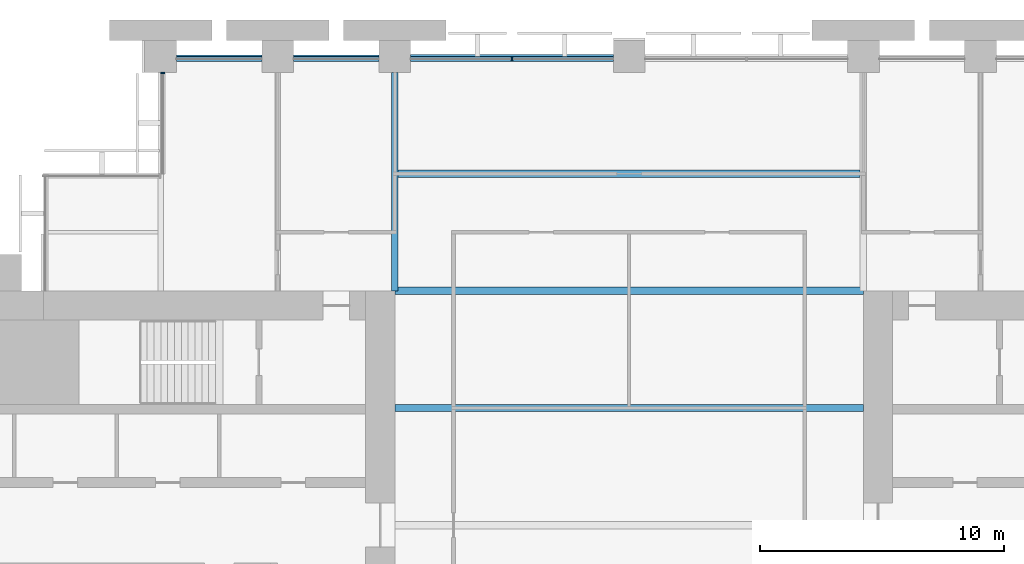
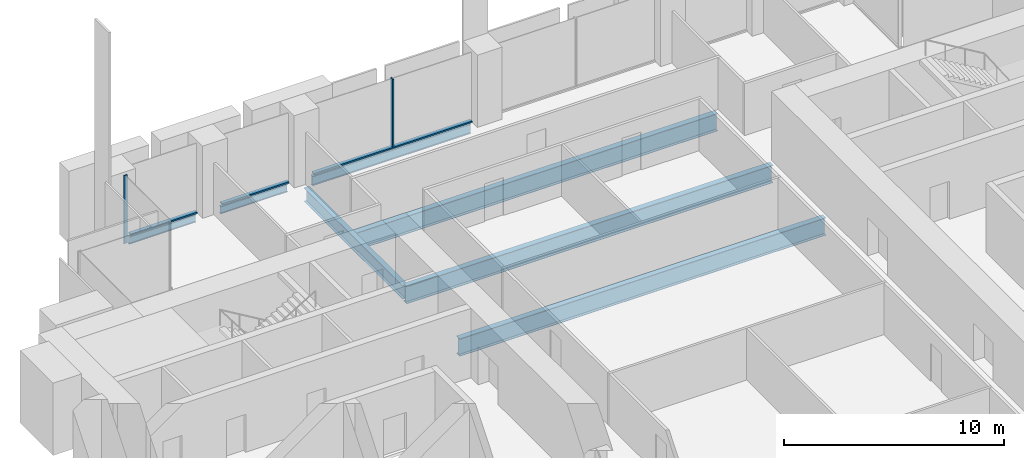
# One storey, part 6 of 14: 7 beams, 5 members, 2 elements without a shape of their own.
"""IFC4 building model written with IfcOpenShell, lengths in metres."""

from ifc_helpers import new_model, si_unit, direction, frame, origin, origin_2d, place, context, subcontext, project, spatial, rectangle, i_section, extrude, material, material_profile, profile_set, type_object, element, aggregate, save


model = new_model("IFC4")

# Units and contexts
model_context = context("Model", 3, precision=1e-05, world=origin(), true_north=direction((0.0, 1.0)))
body_context = subcontext(model_context, "Body", "Model", "MODEL_VIEW")
ifc_project = project(units=[si_unit("LENGTHUNIT", "METRE"), si_unit("AREAUNIT", "SQUARE_METRE"), si_unit("VOLUMEUNIT", "CUBIC_METRE"), si_unit("PLANEANGLEUNIT", "RADIAN"), si_unit("MASSUNIT", "GRAM", prefix="KILO")], contexts=[model_context])

# Site, building, storey
site_placement = place(None, origin())
site = spatial("IfcSite", under=ifc_project, at=site_placement, CompositionType="ELEMENT")
building_placement = place(site_placement, origin())
building = spatial("IfcBuilding", under=site, at=building_placement, Name="Baori Bourse Tower", CompositionType="ELEMENT")
storey_placement = place(building_placement, frame((0.0, 0.0, 39.0)))
storey = spatial("IfcBuildingStorey", under=building, at=storey_placement, Name="L07", CompositionType="ELEMENT", Elevation=39.0)

# Curtain wall, members
ifc_material_1 = material(Name="Pale anodised aluminium", Category="aluminium")
curtain_wall_type_1 = type_object("IfcCurtainWallType", Name="CW1 Curtain wall", PredefinedType="NOTDEFINED", material=ifc_material_1)
curtain_wall_1_placement = place(storey_placement, origin())
curtain_wall_1 = element("IfcCurtainWall", 1, at=curtain_wall_1_placement, inside=storey, type_object=curtain_wall_type_1, Name="Curtain wall CW1 L07 4", PredefinedType="NOTDEFINED")
ifc_material_2 = material(Name="Pale anodised aluminium", Category="aluminium")
ifc_material_profile_1 = material_profile(ifc_material_2, rectangle(XDim=0.199951171875, YDim=0.06005859375, at=origin_2d()), Name="Mullion 60x200")
ifc_profile_set_1 = profile_set([ifc_material_profile_1], Name="Pale anodised aluminium")
member_type_1 = type_object("IfcMemberType", Name="CW1 Curtain wall mullion", PredefinedType="MULLION", material=ifc_profile_set_1)
member_1_placement = place(storey_placement, frame((24.0, 47.89990234375, 0.080078125), z_axis=(0.0, 0.0, 1.0), x_axis=(0.0, -1.0, 0.0)))
member_1 = element("IfcMember", 2, at=member_1_placement, type_object=member_type_1, Name="Curtain wall CW1 mullion", PredefinedType="MULLION", context=body_context, shape_type="SweptSolid", body=[
    extrude(rectangle(XDim=0.199951171875, YDim=0.06005859375, at=origin_2d()), origin(), (0.0, 0.0, 1.0), 3.760009765625),
])
ifc_material_3 = material(Name="Pale anodised aluminium", Category="aluminium")
ifc_material_profile_2 = material_profile(ifc_material_3, rectangle(XDim=0.199951171875, YDim=0.080078125, at=origin_2d()), Name="Transom 80x200")
ifc_profile_set_2 = profile_set([ifc_material_profile_2], Name="Pale anodised aluminium")
member_type_2 = type_object("IfcMemberType", Name="CW1 Curtain wall transom", PredefinedType="USERDEFINED", material=ifc_profile_set_2)
member_2_placement = place(storey_placement, frame((28.14990234375, 47.89990234375, 0.0400390625), z_axis=(-1.0, 0.0, 0.0), x_axis=(0.0, -1.0, 0.0)))
member_2 = element("IfcMember", 3, at=member_2_placement, type_object=member_type_2, Name="Curtain wall CW1 sill rail", ObjectType="TRANSOM", PredefinedType="USERDEFINED", context=body_context, shape_type="SweptSolid", body=[
    extrude(rectangle(XDim=0.199951171875, YDim=0.080078125, at=origin_2d()), origin(), (0.0, 0.0, 1.0), 8.2998046875),
])
member_3_placement = place(storey_placement, frame((18.550048828125, 47.89990234375, 0.0400390625), z_axis=(-1.0, 0.0, 0.0), x_axis=(0.0, -1.0, 0.0)))
member_3 = element("IfcMember", 4, at=member_3_placement, type_object=member_type_2, Name="Curtain wall CW1 sill rail", ObjectType="TRANSOM", PredefinedType="USERDEFINED", context=body_context, shape_type="SweptSolid", body=[
    extrude(rectangle(XDim=0.199951171875, YDim=0.080078125, at=origin_2d()), origin(), (0.0, 0.0, 1.0), 3.5),
])
member_4_placement = place(storey_placement, frame((13.75, 47.89990234375, 0.0400390625), z_axis=(-1.0, 0.0, 0.0), x_axis=(0.0, -1.0, 0.0)))
member_4 = element("IfcMember", 5, at=member_4_placement, type_object=member_type_2, Name="Curtain wall CW1 sill rail", ObjectType="TRANSOM", PredefinedType="USERDEFINED", context=body_context, shape_type="SweptSolid", body=[
    extrude(rectangle(XDim=0.199951171875, YDim=0.080078125, at=origin_2d()), origin(), (0.0, 0.0, 1.0), 3.5),
])
aggregate(curtain_wall_1, [member_2, member_1, member_3, member_4])

# Curtain wall, member
ifc_material_4 = material(Name="Pale anodised aluminium", Category="aluminium")
curtain_wall_type_2 = type_object("IfcCurtainWallType", Name="CW2 Curtain wall", PredefinedType="NOTDEFINED", material=ifc_material_4)
curtain_wall_2_placement = place(storey_placement, origin())
curtain_wall_2 = element("IfcCurtainWall", 6, at=curtain_wall_2_placement, inside=storey, type_object=curtain_wall_type_2, Name="Curtain wall CW2 L07 5", PredefinedType="NOTDEFINED")
ifc_material_5 = material(Name="Pale anodised aluminium", Category="aluminium")
ifc_material_profile_3 = material_profile(ifc_material_5, rectangle(XDim=0.179931640625, YDim=0.054931640625, at=origin_2d()), Name="Mullion 55x180")
ifc_profile_set_3 = profile_set([ifc_material_profile_3], Name="Pale anodised aluminium")
member_type_3 = type_object("IfcMemberType", Name="CW2 Curtain wall mullion", PredefinedType="MULLION", material=ifc_profile_set_3)
member_5_placement = place(storey_placement, frame((9.68994140625, 47.322509765625, 0.070068359375), z_axis=(0.0, 0.0, 1.0), x_axis=(1.0, 0.0, 0.0)))
member_5 = element("IfcMember", 7, at=member_5_placement, type_object=member_type_3, Name="Curtain wall CW2 mullion", PredefinedType="MULLION", context=body_context, shape_type="SweptSolid", body=[
    extrude(rectangle(XDim=0.179931640625, YDim=0.054931640625, at=origin_2d()), origin(), (0.0, 0.0, 1.0), 3.77001953125),
])
aggregate(curtain_wall_2, [member_5])

# Beams
ifc_material_6 = material(Name="Steel A992 Gr 50", Category="steel")
ifc_material_profile_4 = material_profile(ifc_material_6, i_section(OverallWidth=0.140380859375, OverallDepth=0.40380859375, WebThickness=0.007080078125, FlangeThickness=0.01123046875, at=origin_2d()), Name="W16x31")
ifc_profile_set_4 = profile_set([ifc_material_profile_4], Name="Steel A992 Gr 50")
beam_type_1 = type_object("IfcBeamType", Name="Edge beam W16x31", PredefinedType="BEAM", material=ifc_profile_set_4)
for number, where, z_axis, x_axis, name in (
    (8, (10.25, 48.0, -0.36181640625), (1.0, 0.0, 0.0), (0.0, 1.0, 0.0), "Edge beam L07"),
    (9, (15.050048828125, 48.0, -0.36181640625), (1.0, 0.0, 0.0), (0.0, 1.0, 0.0), "Edge beam L07"),
):
    element("IfcBeam", number, at=place(storey_placement, frame(where, z_axis=z_axis, x_axis=x_axis)), inside=storey, type_object=beam_type_1, Name=name, PredefinedType="BEAM", context=body_context, shape_type="SweptSolid", body=[
        extrude(i_section(OverallWidth=0.140380859375, OverallDepth=0.40380859375, WebThickness=0.007080078125, FlangeThickness=0.01123046875, at=origin_2d()), origin(), (0.0, 0.0, 1.0), 3.5),
    ])
ifc_material_7 = material(Name="Steel A992 Gr 50", Category="steel")
ifc_material_profile_5 = material_profile(ifc_material_7, i_section(OverallWidth=0.1650390625, OverallDepth=0.52587890625, WebThickness=0.0087890625, FlangeThickness=0.011474609375, at=origin_2d()), Name="W21x44")
ifc_profile_set_5 = profile_set([ifc_material_profile_5], Name="Steel A992 Gr 50")
beam_type_2 = type_object("IfcBeamType", Name="Edge beam W21x44", PredefinedType="BEAM", material=ifc_profile_set_5)
beam_1_placement = place(storey_placement, frame((19.85009765625, 48.0, -0.4228515625), z_axis=(1.0, 0.0, 0.0), x_axis=(0.0, 1.0, 0.0)))
element("IfcBeam", 10, at=beam_1_placement, inside=storey, type_object=beam_type_2, Name="Edge beam L07", PredefinedType="BEAM", context=body_context, shape_type="SweptSolid", body=[
    extrude(i_section(OverallWidth=0.1650390625, OverallDepth=0.52587890625, WebThickness=0.0087890625, FlangeThickness=0.011474609375, at=origin_2d()), origin(), (0.0, 0.0, 1.0), 8.2998046875),
])
ifc_material_8 = material(Name="Steel A992 Gr 50", Category="steel")
ifc_material_profile_6 = material_profile(ifc_material_8, i_section(OverallWidth=0.2998046875, OverallDepth=0.97021484375, WebThickness=0.01611328125, FlangeThickness=0.02099609375, at=origin_2d()), Name="W40x149")
ifc_profile_set_6 = profile_set([ifc_material_profile_6], Name="Steel A992 Gr 50")
beam_type_3 = type_object("IfcBeamType", Name="Floor beam W40x149", PredefinedType="BEAM", material=ifc_profile_set_6)
for number, where, z_axis, x_axis, name in (
    (11, (19.199951171875, 33.60009765625, -0.64501953125), (1.0, 0.0, 0.0), (0.0, 1.0, 0.0), "Floor beam L07"),
    (12, (19.199951171875, 38.39990234375, -0.64501953125), (1.0, 0.0, 0.0), (0.0, 1.0, 0.0), "Floor beam L07"),
):
    element("IfcBeam", number, at=place(storey_placement, frame(where, z_axis=z_axis, x_axis=x_axis)), inside=storey, type_object=beam_type_3, Name=name, PredefinedType="BEAM", context=body_context, shape_type="SweptSolid", body=[
        extrude(i_section(OverallWidth=0.2998046875, OverallDepth=0.97021484375, WebThickness=0.01611328125, FlangeThickness=0.02099609375, at=origin_2d()), origin(), (0.0, 0.0, 1.0), 19.199951171875),
    ])
beam_2_placement = place(storey_placement, frame((19.333251953125, 43.199951171875, -0.64501953125), z_axis=(1.0, 0.0, 0.0), x_axis=(0.0, 1.0, 0.0)))
element("IfcBeam", 13, at=beam_2_placement, inside=storey, type_object=beam_type_3, Name="Floor beam L07", PredefinedType="BEAM", context=body_context, shape_type="SweptSolid", body=[
    extrude(i_section(OverallWidth=0.2998046875, OverallDepth=0.97021484375, WebThickness=0.01611328125, FlangeThickness=0.02099609375, at=origin_2d()), origin(), (0.0, 0.0, 1.0), 18.933349609375),
])
ifc_material_9 = material(Name="Steel A992 Gr 50", Category="steel")
ifc_material_profile_7 = material_profile(ifc_material_9, i_section(OverallWidth=0.2666015625, OverallDepth=0.7568359375, WebThickness=0.013916015625, FlangeThickness=0.019287109375, at=origin_2d()), Name="W30x108")
ifc_profile_set_7 = profile_set([ifc_material_profile_7], Name="Steel A992 Gr 50")
beam_type_4 = type_object("IfcBeamType", Name="Girder W30x108", PredefinedType="BEAM", material=ifc_profile_set_7)
beam_3_placement = place(storey_placement, frame((19.199951171875, 38.39990234375, -0.53857421875), z_axis=(0.0, 1.0, 0.0), x_axis=(-1.0, 0.0, 0.0)))
element("IfcBeam", 14, at=beam_3_placement, inside=storey, type_object=beam_type_4, Name="Girder L07", PredefinedType="BEAM", context=body_context, shape_type="SweptSolid", body=[
    extrude(i_section(OverallWidth=0.2666015625, OverallDepth=0.7568359375, WebThickness=0.013916015625, FlangeThickness=0.019287109375, at=origin_2d()), origin(), (0.0, 0.0, 1.0), 8.9501953125),
])

save(model, "model.ifc")
